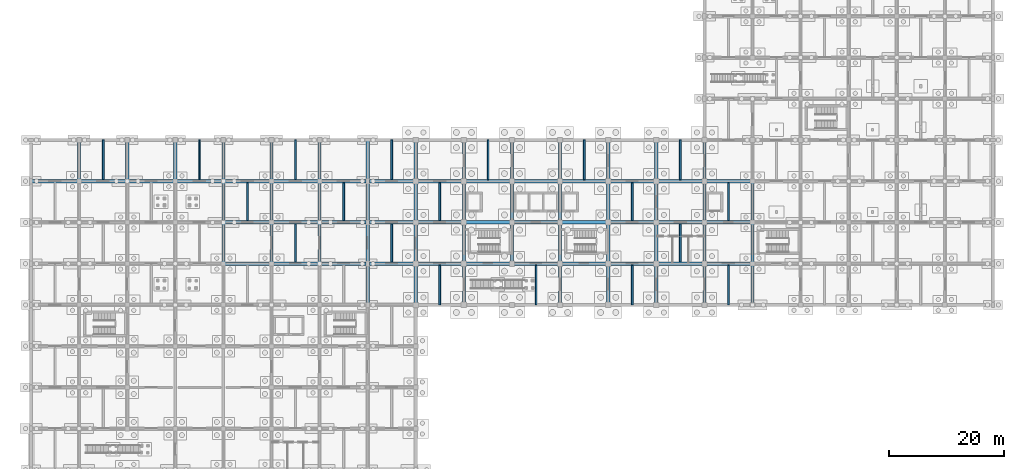
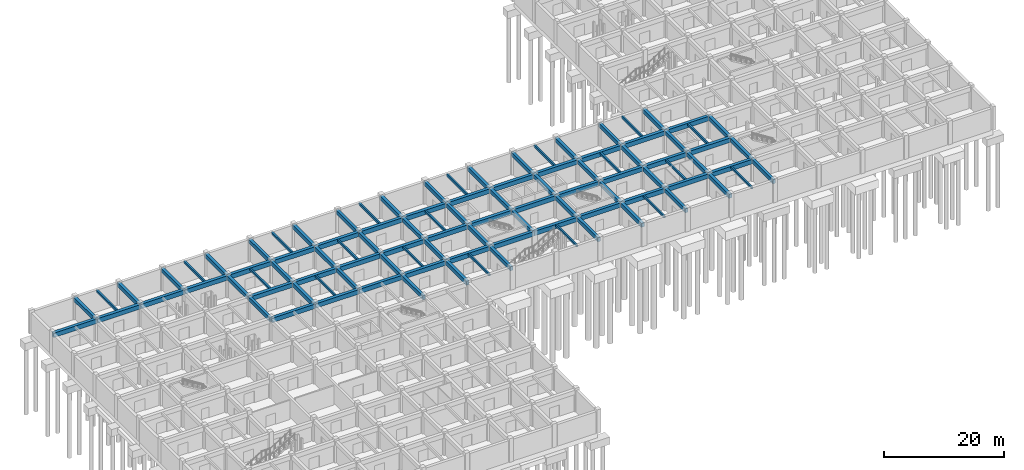
# One storey, part 18 of 38: 102 beams.
"""IFC4 building model written with IfcOpenShell, lengths in metres."""

from ifc_helpers import new_model, si_unit, derived_unit, direction, frame, origin, origin_2d, place, context, subcontext, project, spatial, rectangle, extrude, material, material_profile, profile_set, type_object, element, save


model = new_model("IFC4")

# Units and contexts
model_context = context("Model", 3, precision=1e-05, world=origin(), true_north=direction((0.0, 1.0)))
body_context = subcontext(model_context, "Body", "Model", "MODEL_VIEW")
ifc_project = project(units=[si_unit("LENGTHUNIT", "METRE"), si_unit("AREAUNIT", "SQUARE_METRE"), si_unit("VOLUMEUNIT", "CUBIC_METRE"), si_unit("PLANEANGLEUNIT", "RADIAN"), si_unit("MASSUNIT", "GRAM", prefix="KILO"), derived_unit("THERMALTRANSMITTANCEUNIT", [(si_unit("MASSUNIT", "GRAM", prefix="KILO"), 1), (si_unit("TIMEUNIT", "SECOND"), -3), (si_unit("THERMODYNAMICTEMPERATUREUNIT", "KELVIN"), -1)])], contexts=[model_context])

# Site, building, storey
site_placement = place(None, origin())
site = spatial("IfcSite", under=ifc_project, at=site_placement, CompositionType="ELEMENT")
building_placement = place(site_placement, origin())
building = spatial("IfcBuilding", under=site, at=building_placement, Name="Veldstrom Oceanarium and Marine Research Institute", CompositionType="ELEMENT")
storey_placement = place(building_placement, frame((0.0, 0.0, -9.60009765625)))
storey = spatial("IfcBuildingStorey", under=building, at=storey_placement, Name="B02", CompositionType="ELEMENT", Elevation=-9.60009765625)

# Beams
ifc_material_1 = material(Name="Concrete C40/50", Category="concrete")
ifc_material_profile_1 = material_profile(ifc_material_1, rectangle(XDim=0.60009765625, YDim=0.89990234375, at=origin_2d()), Name="RC-BM-600x900")
ifc_profile_set_1 = profile_set([ifc_material_profile_1], Name="Concrete C40/50")
beam_type_1 = type_object("IfcBeamType", Name="STR-BM-B01", PredefinedType="BEAM", material=ifc_profile_set_1)
beam_1_placement = place(storey_placement, frame((0.0, 64.800048828125, 3.945068359375), z_axis=(1.0, 0.0, 0.0), x_axis=(0.0, 1.0, 0.0)))
element("IfcBeam", 1, at=beam_1_placement, inside=storey, type_object=beam_type_1, Name="Primary Beam B01 B02-0009", PredefinedType="BEAM", context=body_context, shape_type="SweptSolid", body=[
    extrude(rectangle(XDim=0.60009765625, YDim=0.89990234375, at=origin_2d()), origin(), (0.0, 0.0, 1.0), 8.39990234375),
])
beam_2_placement = place(storey_placement, frame((8.39990234375, 64.800048828125, 3.945068359375), z_axis=(1.0, 0.0, 0.0), x_axis=(0.0, 1.0, 0.0)))
element("IfcBeam", 2, at=beam_2_placement, inside=storey, type_object=beam_type_1, Name="Primary Beam B01 B02-0018", PredefinedType="BEAM", context=body_context, shape_type="SweptSolid", body=[
    extrude(rectangle(XDim=0.60009765625, YDim=0.89990234375, at=origin_2d()), origin(), (0.0, 0.0, 1.0), 8.400146484375),
])
beam_3_placement = place(storey_placement, frame((16.800048828125, 64.800048828125, 3.945068359375), z_axis=(1.0, 0.0, 0.0), x_axis=(0.0, 1.0, 0.0)))
element("IfcBeam", 3, at=beam_3_placement, inside=storey, type_object=beam_type_1, Name="Primary Beam B01 B02-0026", PredefinedType="BEAM", context=body_context, shape_type="SweptSolid", body=[
    extrude(rectangle(XDim=0.60009765625, YDim=0.89990234375, at=origin_2d()), origin(), (0.0, 0.0, 1.0), 8.39990234375),
])
beam_4_placement = place(storey_placement, frame((25.199951171875, 64.800048828125, 3.945068359375), z_axis=(1.0, 0.0, 0.0), x_axis=(0.0, 1.0, 0.0)))
element("IfcBeam", 4, at=beam_4_placement, inside=storey, type_object=beam_type_1, Name="Primary Beam B01 B02-0034", PredefinedType="BEAM", context=body_context, shape_type="SweptSolid", body=[
    extrude(rectangle(XDim=0.60009765625, YDim=0.89990234375, at=origin_2d()), origin(), (0.0, 0.0, 1.0), 8.400146484375),
])
for number, where, z_axis, x_axis, name in (
    (5, (33.60009765625, 50.39990234375, 3.945068359375), (1.0, 0.0, 0.0), (0.0, 1.0, 0.0), "Primary Beam B01 B02-0040"),
    (6, (33.60009765625, 57.60009765625, 3.945068359375), (1.0, 0.0, 0.0), (0.0, 1.0, 0.0), "Primary Beam B01 B02-0041"),
    (7, (33.60009765625, 64.800048828125, 3.945068359375), (1.0, 0.0, 0.0), (0.0, 1.0, 0.0), "Primary Beam B01 B02-0042"),
    (8, (42.0, 50.39990234375, 3.945068359375), (1.0, 0.0, 0.0), (0.0, 1.0, 0.0), "Primary Beam B01 B02-0049"),
    (9, (42.0, 57.60009765625, 3.945068359375), (1.0, 0.0, 0.0), (0.0, 1.0, 0.0), "Primary Beam B01 B02-0050"),
    (10, (42.0, 64.800048828125, 3.945068359375), (1.0, 0.0, 0.0), (0.0, 1.0, 0.0), "Primary Beam B01 B02-0051"),
):
    element("IfcBeam", number, at=place(storey_placement, frame(where, z_axis=z_axis, x_axis=x_axis)), inside=storey, type_object=beam_type_1, Name=name, PredefinedType="BEAM", context=body_context, shape_type="SweptSolid", body=[
        extrude(rectangle(XDim=0.60009765625, YDim=0.89990234375, at=origin_2d()), origin(), (0.0, 0.0, 1.0), 8.39990234375),
    ])
for number, where, z_axis, x_axis, name in (
    (11, (50.39990234375, 50.39990234375, 3.945068359375), (1.0, 0.0, 0.0), (0.0, 1.0, 0.0), "Primary Beam B01 B02-0058"),
    (12, (50.39990234375, 57.60009765625, 3.945068359375), (1.0, 0.0, 0.0), (0.0, 1.0, 0.0), "Primary Beam B01 B02-0059"),
    (13, (50.39990234375, 64.800048828125, 3.945068359375), (1.0, 0.0, 0.0), (0.0, 1.0, 0.0), "Primary Beam B01 B02-0060"),
):
    element("IfcBeam", number, at=place(storey_placement, frame(where, z_axis=z_axis, x_axis=x_axis)), inside=storey, type_object=beam_type_1, Name=name, PredefinedType="BEAM", context=body_context, shape_type="SweptSolid", body=[
        extrude(rectangle(XDim=0.60009765625, YDim=0.89990234375, at=origin_2d()), origin(), (0.0, 0.0, 1.0), 8.400146484375),
    ])
for number, where, z_axis, x_axis, name in (
    (14, (58.800048828125, 50.39990234375, 3.945068359375), (1.0, 0.0, 0.0), (0.0, 1.0, 0.0), "Primary Beam B01 B02-0067"),
    (15, (58.800048828125, 57.60009765625, 3.945068359375), (1.0, 0.0, 0.0), (0.0, 1.0, 0.0), "Primary Beam B01 B02-0068"),
    (16, (58.800048828125, 64.800048828125, 3.945068359375), (1.0, 0.0, 0.0), (0.0, 1.0, 0.0), "Primary Beam B01 B02-0069"),
):
    element("IfcBeam", number, at=place(storey_placement, frame(where, z_axis=z_axis, x_axis=x_axis)), inside=storey, type_object=beam_type_1, Name=name, PredefinedType="BEAM", context=body_context, shape_type="SweptSolid", body=[
        extrude(rectangle(XDim=0.60009765625, YDim=0.89990234375, at=origin_2d()), origin(), (0.0, 0.0, 1.0), 8.39990234375),
    ])
for number, where, z_axis, x_axis, name in (
    (17, (67.199951171875, 50.39990234375, 3.945068359375), (1.0, 0.0, 0.0), (0.0, 1.0, 0.0), "Primary Beam B01 B02-0070"),
    (18, (67.199951171875, 57.60009765625, 3.945068359375), (1.0, 0.0, 0.0), (0.0, 1.0, 0.0), "Primary Beam B01 B02-0071"),
    (19, (67.199951171875, 64.800048828125, 3.945068359375), (1.0, 0.0, 0.0), (0.0, 1.0, 0.0), "Primary Beam B01 B02-0072"),
):
    element("IfcBeam", number, at=place(storey_placement, frame(where, z_axis=z_axis, x_axis=x_axis)), inside=storey, type_object=beam_type_1, Name=name, PredefinedType="BEAM", context=body_context, shape_type="SweptSolid", body=[
        extrude(rectangle(XDim=0.60009765625, YDim=0.89990234375, at=origin_2d()), origin(), (0.0, 0.0, 1.0), 8.400146484375),
    ])
for number, where, z_axis, x_axis, name in (
    (20, (75.60009765625, 50.39990234375, 3.945068359375), (1.0, 0.0, 0.0), (0.0, 1.0, 0.0), "Primary Beam B01 B02-0073"),
    (21, (75.60009765625, 57.60009765625, 3.945068359375), (1.0, 0.0, 0.0), (0.0, 1.0, 0.0), "Primary Beam B01 B02-0074"),
    (22, (75.60009765625, 64.800048828125, 3.945068359375), (1.0, 0.0, 0.0), (0.0, 1.0, 0.0), "Primary Beam B01 B02-0075"),
    (23, (84.0, 50.39990234375, 3.945068359375), (1.0, 0.0, 0.0), (0.0, 1.0, 0.0), "Primary Beam B01 B02-0076"),
    (24, (84.0, 57.60009765625, 3.945068359375), (1.0, 0.0, 0.0), (0.0, 1.0, 0.0), "Primary Beam B01 B02-0077"),
    (25, (84.0, 64.800048828125, 3.945068359375), (1.0, 0.0, 0.0), (0.0, 1.0, 0.0), "Primary Beam B01 B02-0078"),
):
    element("IfcBeam", number, at=place(storey_placement, frame(where, z_axis=z_axis, x_axis=x_axis)), inside=storey, type_object=beam_type_1, Name=name, PredefinedType="BEAM", context=body_context, shape_type="SweptSolid", body=[
        extrude(rectangle(XDim=0.60009765625, YDim=0.89990234375, at=origin_2d()), origin(), (0.0, 0.0, 1.0), 8.39990234375),
    ])
for number, where, z_axis, x_axis, name in (
    (26, (92.39990234375, 50.39990234375, 3.945068359375), (1.0, 0.0, 0.0), (0.0, 1.0, 0.0), "Primary Beam B01 B02-0079"),
    (27, (92.39990234375, 57.60009765625, 3.945068359375), (1.0, 0.0, 0.0), (0.0, 1.0, 0.0), "Primary Beam B01 B02-0080"),
    (28, (92.39990234375, 64.800048828125, 3.945068359375), (1.0, 0.0, 0.0), (0.0, 1.0, 0.0), "Primary Beam B01 B02-0081"),
):
    element("IfcBeam", number, at=place(storey_placement, frame(where, z_axis=z_axis, x_axis=x_axis)), inside=storey, type_object=beam_type_1, Name=name, PredefinedType="BEAM", context=body_context, shape_type="SweptSolid", body=[
        extrude(rectangle(XDim=0.60009765625, YDim=0.89990234375, at=origin_2d()), origin(), (0.0, 0.0, 1.0), 8.400146484375),
    ])
for number, where, z_axis, x_axis, name in (
    (29, (100.800048828125, 50.39990234375, 3.945068359375), (1.0, 0.0, 0.0), (0.0, 1.0, 0.0), "Primary Beam B01 B02-0082"),
    (30, (100.800048828125, 57.60009765625, 3.945068359375), (1.0, 0.0, 0.0), (0.0, 1.0, 0.0), "Primary Beam B01 B02-0083"),
    (31, (100.800048828125, 64.800048828125, 3.945068359375), (1.0, 0.0, 0.0), (0.0, 1.0, 0.0), "Primary Beam B01 B02-0084"),
):
    element("IfcBeam", number, at=place(storey_placement, frame(where, z_axis=z_axis, x_axis=x_axis)), inside=storey, type_object=beam_type_1, Name=name, PredefinedType="BEAM", context=body_context, shape_type="SweptSolid", body=[
        extrude(rectangle(XDim=0.60009765625, YDim=0.89990234375, at=origin_2d()), origin(), (0.0, 0.0, 1.0), 8.39990234375),
    ])
for number, where, z_axis, x_axis, name in (
    (32, (109.199951171875, 50.39990234375, 3.945068359375), (1.0, 0.0, 0.0), (0.0, 1.0, 0.0), "Primary Beam B01 B02-0085"),
    (33, (109.199951171875, 57.60009765625, 3.945068359375), (1.0, 0.0, 0.0), (0.0, 1.0, 0.0), "Primary Beam B01 B02-0086"),
    (34, (109.199951171875, 64.800048828125, 3.945068359375), (1.0, 0.0, 0.0), (0.0, 1.0, 0.0), "Primary Beam B01 B02-0087"),
):
    element("IfcBeam", number, at=place(storey_placement, frame(where, z_axis=z_axis, x_axis=x_axis)), inside=storey, type_object=beam_type_1, Name=name, PredefinedType="BEAM", context=body_context, shape_type="SweptSolid", body=[
        extrude(rectangle(XDim=0.60009765625, YDim=0.89990234375, at=origin_2d()), origin(), (0.0, 0.0, 1.0), 8.400146484375),
    ])
for number, where, z_axis, x_axis, name in (
    (35, (117.60009765625, 50.39990234375, 3.945068359375), (1.0, 0.0, 0.0), (0.0, 1.0, 0.0), "Primary Beam B01 B02-0088"),
    (36, (117.60009765625, 57.60009765625, 3.945068359375), (1.0, 0.0, 0.0), (0.0, 1.0, 0.0), "Primary Beam B01 B02-0089"),
    (37, (117.60009765625, 64.800048828125, 3.945068359375), (1.0, 0.0, 0.0), (0.0, 1.0, 0.0), "Primary Beam B01 B02-0090"),
):
    element("IfcBeam", number, at=place(storey_placement, frame(where, z_axis=z_axis, x_axis=x_axis)), inside=storey, type_object=beam_type_1, Name=name, PredefinedType="BEAM", context=body_context, shape_type="SweptSolid", body=[
        extrude(rectangle(XDim=0.60009765625, YDim=0.89990234375, at=origin_2d()), origin(), (0.0, 0.0, 1.0), 8.39990234375),
    ])
ifc_material_2 = material(Name="Concrete C40/50", Category="concrete")
ifc_material_profile_2 = material_profile(ifc_material_2, rectangle(XDim=0.550048828125, YDim=0.800048828125, at=origin_2d()), Name="RC-BM-550x800")
ifc_profile_set_2 = profile_set([ifc_material_profile_2], Name="Concrete C40/50")
beam_type_2 = type_object("IfcBeamType", Name="STR-BM-B02", PredefinedType="BEAM", material=ifc_profile_set_2)
for number, where, z_axis, x_axis, name in (
    (38, (8.39990234375, 64.800048828125, 3.9951171875), (0.0, 1.0, 0.0), (-1.0, 0.0, 0.0), "Primary Beam B02 B02-0151"),
    (39, (16.800048828125, 64.800048828125, 3.9951171875), (0.0, 1.0, 0.0), (-1.0, 0.0, 0.0), "Primary Beam B02 B02-0161"),
    (40, (25.199951171875, 64.800048828125, 3.9951171875), (0.0, 1.0, 0.0), (-1.0, 0.0, 0.0), "Primary Beam B02 B02-0169"),
):
    element("IfcBeam", number, at=place(storey_placement, frame(where, z_axis=z_axis, x_axis=x_axis)), inside=storey, type_object=beam_type_2, Name=name, PredefinedType="BEAM", context=body_context, shape_type="SweptSolid", body=[
        extrude(rectangle(XDim=0.550048828125, YDim=0.800048828125, at=origin_2d()), origin(), (0.0, 0.0, 1.0), 7.199951171875),
    ])
beam_5_placement = place(storey_placement, frame((33.60009765625, 50.39990234375, 3.9951171875), z_axis=(0.0, 1.0, 0.0), x_axis=(-1.0, 0.0, 0.0)))
element("IfcBeam", 41, at=beam_5_placement, inside=storey, type_object=beam_type_2, Name="Primary Beam B02 B02-0175", PredefinedType="BEAM", context=body_context, shape_type="SweptSolid", body=[
    extrude(rectangle(XDim=0.550048828125, YDim=0.800048828125, at=origin_2d()), origin(), (0.0, 0.0, 1.0), 7.2001953125),
])
for number, where, z_axis, x_axis, name in (
    (42, (33.60009765625, 57.60009765625, 3.9951171875), (0.0, 1.0, 0.0), (-1.0, 0.0, 0.0), "Primary Beam B02 B02-0176"),
    (43, (33.60009765625, 64.800048828125, 3.9951171875), (0.0, 1.0, 0.0), (-1.0, 0.0, 0.0), "Primary Beam B02 B02-0177"),
):
    element("IfcBeam", number, at=place(storey_placement, frame(where, z_axis=z_axis, x_axis=x_axis)), inside=storey, type_object=beam_type_2, Name=name, PredefinedType="BEAM", context=body_context, shape_type="SweptSolid", body=[
        extrude(rectangle(XDim=0.550048828125, YDim=0.800048828125, at=origin_2d()), origin(), (0.0, 0.0, 1.0), 7.199951171875),
    ])
beam_6_placement = place(storey_placement, frame((42.0, 50.39990234375, 3.9951171875), z_axis=(0.0, 1.0, 0.0), x_axis=(-1.0, 0.0, 0.0)))
element("IfcBeam", 44, at=beam_6_placement, inside=storey, type_object=beam_type_2, Name="Primary Beam B02 B02-0185", PredefinedType="BEAM", context=body_context, shape_type="SweptSolid", body=[
    extrude(rectangle(XDim=0.550048828125, YDim=0.800048828125, at=origin_2d()), origin(), (0.0, 0.0, 1.0), 7.2001953125),
])
for number, where, z_axis, x_axis, name in (
    (45, (42.0, 57.60009765625, 3.9951171875), (0.0, 1.0, 0.0), (-1.0, 0.0, 0.0), "Primary Beam B02 B02-0186"),
    (46, (42.0, 64.800048828125, 3.9951171875), (0.0, 1.0, 0.0), (-1.0, 0.0, 0.0), "Primary Beam B02 B02-0187"),
):
    element("IfcBeam", number, at=place(storey_placement, frame(where, z_axis=z_axis, x_axis=x_axis)), inside=storey, type_object=beam_type_2, Name=name, PredefinedType="BEAM", context=body_context, shape_type="SweptSolid", body=[
        extrude(rectangle(XDim=0.550048828125, YDim=0.800048828125, at=origin_2d()), origin(), (0.0, 0.0, 1.0), 7.199951171875),
    ])
beam_7_placement = place(storey_placement, frame((50.39990234375, 50.39990234375, 3.9951171875), z_axis=(0.0, 1.0, 0.0), x_axis=(-1.0, 0.0, 0.0)))
element("IfcBeam", 47, at=beam_7_placement, inside=storey, type_object=beam_type_2, Name="Primary Beam B02 B02-0195", PredefinedType="BEAM", context=body_context, shape_type="SweptSolid", body=[
    extrude(rectangle(XDim=0.550048828125, YDim=0.800048828125, at=origin_2d()), origin(), (0.0, 0.0, 1.0), 7.2001953125),
])
for number, where, z_axis, x_axis, name in (
    (48, (50.39990234375, 57.60009765625, 3.9951171875), (0.0, 1.0, 0.0), (-1.0, 0.0, 0.0), "Primary Beam B02 B02-0196"),
    (49, (50.39990234375, 64.800048828125, 3.9951171875), (0.0, 1.0, 0.0), (-1.0, 0.0, 0.0), "Primary Beam B02 B02-0197"),
    (50, (58.800048828125, 43.199951171875, 3.9951171875), (0.0, 1.0, 0.0), (-1.0, 0.0, 0.0), "Primary Beam B02 B02-0204"),
):
    element("IfcBeam", number, at=place(storey_placement, frame(where, z_axis=z_axis, x_axis=x_axis)), inside=storey, type_object=beam_type_2, Name=name, PredefinedType="BEAM", context=body_context, shape_type="SweptSolid", body=[
        extrude(rectangle(XDim=0.550048828125, YDim=0.800048828125, at=origin_2d()), origin(), (0.0, 0.0, 1.0), 7.199951171875),
    ])
beam_8_placement = place(storey_placement, frame((58.800048828125, 50.39990234375, 3.9951171875), z_axis=(0.0, 1.0, 0.0), x_axis=(-1.0, 0.0, 0.0)))
element("IfcBeam", 51, at=beam_8_placement, inside=storey, type_object=beam_type_2, Name="Primary Beam B02 B02-0205", PredefinedType="BEAM", context=body_context, shape_type="SweptSolid", body=[
    extrude(rectangle(XDim=0.550048828125, YDim=0.800048828125, at=origin_2d()), origin(), (0.0, 0.0, 1.0), 7.2001953125),
])
for number, where, z_axis, x_axis, name in (
    (52, (58.800048828125, 57.60009765625, 3.9951171875), (0.0, 1.0, 0.0), (-1.0, 0.0, 0.0), "Primary Beam B02 B02-0206"),
    (53, (58.800048828125, 64.800048828125, 3.9951171875), (0.0, 1.0, 0.0), (-1.0, 0.0, 0.0), "Primary Beam B02 B02-0207"),
    (54, (67.199951171875, 43.199951171875, 3.9951171875), (0.0, 1.0, 0.0), (-1.0, 0.0, 0.0), "Primary Beam B02 B02-0208"),
):
    element("IfcBeam", number, at=place(storey_placement, frame(where, z_axis=z_axis, x_axis=x_axis)), inside=storey, type_object=beam_type_2, Name=name, PredefinedType="BEAM", context=body_context, shape_type="SweptSolid", body=[
        extrude(rectangle(XDim=0.550048828125, YDim=0.800048828125, at=origin_2d()), origin(), (0.0, 0.0, 1.0), 7.199951171875),
    ])
beam_9_placement = place(storey_placement, frame((67.199951171875, 50.39990234375, 3.9951171875), z_axis=(0.0, 1.0, 0.0), x_axis=(-1.0, 0.0, 0.0)))
element("IfcBeam", 55, at=beam_9_placement, inside=storey, type_object=beam_type_2, Name="Primary Beam B02 B02-0209", PredefinedType="BEAM", context=body_context, shape_type="SweptSolid", body=[
    extrude(rectangle(XDim=0.550048828125, YDim=0.800048828125, at=origin_2d()), origin(), (0.0, 0.0, 1.0), 7.2001953125),
])
for number, where, z_axis, x_axis, name in (
    (56, (67.199951171875, 57.60009765625, 3.9951171875), (0.0, 1.0, 0.0), (-1.0, 0.0, 0.0), "Primary Beam B02 B02-0210"),
    (57, (67.199951171875, 64.800048828125, 3.9951171875), (0.0, 1.0, 0.0), (-1.0, 0.0, 0.0), "Primary Beam B02 B02-0211"),
    (58, (75.60009765625, 43.199951171875, 3.9951171875), (0.0, 1.0, 0.0), (-1.0, 0.0, 0.0), "Primary Beam B02 B02-0212"),
):
    element("IfcBeam", number, at=place(storey_placement, frame(where, z_axis=z_axis, x_axis=x_axis)), inside=storey, type_object=beam_type_2, Name=name, PredefinedType="BEAM", context=body_context, shape_type="SweptSolid", body=[
        extrude(rectangle(XDim=0.550048828125, YDim=0.800048828125, at=origin_2d()), origin(), (0.0, 0.0, 1.0), 7.199951171875),
    ])
beam_10_placement = place(storey_placement, frame((75.60009765625, 50.39990234375, 3.9951171875), z_axis=(0.0, 1.0, 0.0), x_axis=(-1.0, 0.0, 0.0)))
element("IfcBeam", 59, at=beam_10_placement, inside=storey, type_object=beam_type_2, Name="Primary Beam B02 B02-0213", PredefinedType="BEAM", context=body_context, shape_type="SweptSolid", body=[
    extrude(rectangle(XDim=0.550048828125, YDim=0.800048828125, at=origin_2d()), origin(), (0.0, 0.0, 1.0), 7.2001953125),
])
for number, where, z_axis, x_axis, name in (
    (60, (75.60009765625, 57.60009765625, 3.9951171875), (0.0, 1.0, 0.0), (-1.0, 0.0, 0.0), "Primary Beam B02 B02-0214"),
    (61, (75.60009765625, 64.800048828125, 3.9951171875), (0.0, 1.0, 0.0), (-1.0, 0.0, 0.0), "Primary Beam B02 B02-0215"),
):
    element("IfcBeam", number, at=place(storey_placement, frame(where, z_axis=z_axis, x_axis=x_axis)), inside=storey, type_object=beam_type_2, Name=name, PredefinedType="BEAM", context=body_context, shape_type="SweptSolid", body=[
        extrude(rectangle(XDim=0.550048828125, YDim=0.800048828125, at=origin_2d()), origin(), (0.0, 0.0, 1.0), 7.199951171875),
    ])
beam_11_placement = place(storey_placement, frame((84.0, 50.39990234375, 3.9951171875), z_axis=(0.0, 1.0, 0.0), x_axis=(-1.0, 0.0, 0.0)))
element("IfcBeam", 62, at=beam_11_placement, inside=storey, type_object=beam_type_2, Name="Primary Beam B02 B02-0217", PredefinedType="BEAM", context=body_context, shape_type="SweptSolid", body=[
    extrude(rectangle(XDim=0.550048828125, YDim=0.800048828125, at=origin_2d()), origin(), (0.0, 0.0, 1.0), 7.2001953125),
])
for number, where, z_axis, x_axis, name in (
    (63, (84.0, 57.60009765625, 3.9951171875), (0.0, 1.0, 0.0), (-1.0, 0.0, 0.0), "Primary Beam B02 B02-0218"),
    (64, (84.0, 64.800048828125, 3.9951171875), (0.0, 1.0, 0.0), (-1.0, 0.0, 0.0), "Primary Beam B02 B02-0219"),
    (65, (92.39990234375, 43.199951171875, 3.9951171875), (0.0, 1.0, 0.0), (-1.0, 0.0, 0.0), "Primary Beam B02 B02-0220"),
):
    element("IfcBeam", number, at=place(storey_placement, frame(where, z_axis=z_axis, x_axis=x_axis)), inside=storey, type_object=beam_type_2, Name=name, PredefinedType="BEAM", context=body_context, shape_type="SweptSolid", body=[
        extrude(rectangle(XDim=0.550048828125, YDim=0.800048828125, at=origin_2d()), origin(), (0.0, 0.0, 1.0), 7.199951171875),
    ])
beam_12_placement = place(storey_placement, frame((92.39990234375, 50.39990234375, 3.9951171875), z_axis=(0.0, 1.0, 0.0), x_axis=(-1.0, 0.0, 0.0)))
element("IfcBeam", 66, at=beam_12_placement, inside=storey, type_object=beam_type_2, Name="Primary Beam B02 B02-0221", PredefinedType="BEAM", context=body_context, shape_type="SweptSolid", body=[
    extrude(rectangle(XDim=0.550048828125, YDim=0.800048828125, at=origin_2d()), origin(), (0.0, 0.0, 1.0), 7.2001953125),
])
for number, where, z_axis, x_axis, name in (
    (67, (92.39990234375, 57.60009765625, 3.9951171875), (0.0, 1.0, 0.0), (-1.0, 0.0, 0.0), "Primary Beam B02 B02-0222"),
    (68, (92.39990234375, 64.800048828125, 3.9951171875), (0.0, 1.0, 0.0), (-1.0, 0.0, 0.0), "Primary Beam B02 B02-0223"),
    (69, (100.800048828125, 43.199951171875, 3.9951171875), (0.0, 1.0, 0.0), (-1.0, 0.0, 0.0), "Primary Beam B02 B02-0224"),
):
    element("IfcBeam", number, at=place(storey_placement, frame(where, z_axis=z_axis, x_axis=x_axis)), inside=storey, type_object=beam_type_2, Name=name, PredefinedType="BEAM", context=body_context, shape_type="SweptSolid", body=[
        extrude(rectangle(XDim=0.550048828125, YDim=0.800048828125, at=origin_2d()), origin(), (0.0, 0.0, 1.0), 7.199951171875),
    ])
beam_13_placement = place(storey_placement, frame((100.800048828125, 50.39990234375, 3.9951171875), z_axis=(0.0, 1.0, 0.0), x_axis=(-1.0, 0.0, 0.0)))
element("IfcBeam", 70, at=beam_13_placement, inside=storey, type_object=beam_type_2, Name="Primary Beam B02 B02-0225", PredefinedType="BEAM", context=body_context, shape_type="SweptSolid", body=[
    extrude(rectangle(XDim=0.550048828125, YDim=0.800048828125, at=origin_2d()), origin(), (0.0, 0.0, 1.0), 7.2001953125),
])
for number, where, z_axis, x_axis, name in (
    (71, (100.800048828125, 57.60009765625, 3.9951171875), (0.0, 1.0, 0.0), (-1.0, 0.0, 0.0), "Primary Beam B02 B02-0226"),
    (72, (100.800048828125, 64.800048828125, 3.9951171875), (0.0, 1.0, 0.0), (-1.0, 0.0, 0.0), "Primary Beam B02 B02-0227"),
    (73, (109.199951171875, 43.199951171875, 3.9951171875), (0.0, 1.0, 0.0), (-1.0, 0.0, 0.0), "Primary Beam B02 B02-0228"),
):
    element("IfcBeam", number, at=place(storey_placement, frame(where, z_axis=z_axis, x_axis=x_axis)), inside=storey, type_object=beam_type_2, Name=name, PredefinedType="BEAM", context=body_context, shape_type="SweptSolid", body=[
        extrude(rectangle(XDim=0.550048828125, YDim=0.800048828125, at=origin_2d()), origin(), (0.0, 0.0, 1.0), 7.199951171875),
    ])
beam_14_placement = place(storey_placement, frame((109.199951171875, 50.39990234375, 3.9951171875), z_axis=(0.0, 1.0, 0.0), x_axis=(-1.0, 0.0, 0.0)))
element("IfcBeam", 74, at=beam_14_placement, inside=storey, type_object=beam_type_2, Name="Primary Beam B02 B02-0229", PredefinedType="BEAM", context=body_context, shape_type="SweptSolid", body=[
    extrude(rectangle(XDim=0.550048828125, YDim=0.800048828125, at=origin_2d()), origin(), (0.0, 0.0, 1.0), 7.2001953125),
])
for number, where, z_axis, x_axis, name in (
    (75, (109.199951171875, 57.60009765625, 3.9951171875), (0.0, 1.0, 0.0), (-1.0, 0.0, 0.0), "Primary Beam B02 B02-0230"),
    (76, (109.199951171875, 64.800048828125, 3.9951171875), (0.0, 1.0, 0.0), (-1.0, 0.0, 0.0), "Primary Beam B02 B02-0231"),
    (77, (117.60009765625, 43.199951171875, 3.9951171875), (0.0, 1.0, 0.0), (-1.0, 0.0, 0.0), "Primary Beam B02 B02-0232"),
):
    element("IfcBeam", number, at=place(storey_placement, frame(where, z_axis=z_axis, x_axis=x_axis)), inside=storey, type_object=beam_type_2, Name=name, PredefinedType="BEAM", context=body_context, shape_type="SweptSolid", body=[
        extrude(rectangle(XDim=0.550048828125, YDim=0.800048828125, at=origin_2d()), origin(), (0.0, 0.0, 1.0), 7.199951171875),
    ])
beam_15_placement = place(storey_placement, frame((117.60009765625, 50.39990234375, 3.9951171875), z_axis=(0.0, 1.0, 0.0), x_axis=(-1.0, 0.0, 0.0)))
element("IfcBeam", 78, at=beam_15_placement, inside=storey, type_object=beam_type_2, Name="Primary Beam B02 B02-0233", PredefinedType="BEAM", context=body_context, shape_type="SweptSolid", body=[
    extrude(rectangle(XDim=0.550048828125, YDim=0.800048828125, at=origin_2d()), origin(), (0.0, 0.0, 1.0), 7.2001953125),
])
for number, where, z_axis, x_axis, name in (
    (79, (117.60009765625, 57.60009765625, 3.9951171875), (0.0, 1.0, 0.0), (-1.0, 0.0, 0.0), "Primary Beam B02 B02-0234"),
    (80, (117.60009765625, 64.800048828125, 3.9951171875), (0.0, 1.0, 0.0), (-1.0, 0.0, 0.0), "Primary Beam B02 B02-0235"),
    (81, (126.0, 43.199951171875, 3.9951171875), (0.0, 1.0, 0.0), (-1.0, 0.0, 0.0), "Primary Beam B02 B02-0236"),
):
    element("IfcBeam", number, at=place(storey_placement, frame(where, z_axis=z_axis, x_axis=x_axis)), inside=storey, type_object=beam_type_2, Name=name, PredefinedType="BEAM", context=body_context, shape_type="SweptSolid", body=[
        extrude(rectangle(XDim=0.550048828125, YDim=0.800048828125, at=origin_2d()), origin(), (0.0, 0.0, 1.0), 7.199951171875),
    ])
beam_16_placement = place(storey_placement, frame((126.0, 50.39990234375, 3.9951171875), z_axis=(0.0, 1.0, 0.0), x_axis=(-1.0, 0.0, 0.0)))
element("IfcBeam", 82, at=beam_16_placement, inside=storey, type_object=beam_type_2, Name="Primary Beam B02 B02-0237", PredefinedType="BEAM", context=body_context, shape_type="SweptSolid", body=[
    extrude(rectangle(XDim=0.550048828125, YDim=0.800048828125, at=origin_2d()), origin(), (0.0, 0.0, 1.0), 7.2001953125),
])
beam_17_placement = place(storey_placement, frame((126.0, 57.60009765625, 3.9951171875), z_axis=(0.0, 1.0, 0.0), x_axis=(-1.0, 0.0, 0.0)))
element("IfcBeam", 83, at=beam_17_placement, inside=storey, type_object=beam_type_2, Name="Primary Beam B02 B02-0238", PredefinedType="BEAM", context=body_context, shape_type="SweptSolid", body=[
    extrude(rectangle(XDim=0.550048828125, YDim=0.800048828125, at=origin_2d()), origin(), (0.0, 0.0, 1.0), 7.199951171875),
])
ifc_material_3 = material(Name="Concrete C40/50", Category="concrete")
ifc_material_profile_3 = material_profile(ifc_material_3, rectangle(XDim=0.300048828125, YDim=0.449951171875, at=origin_2d()), Name="RC-JST-300x450")
ifc_profile_set_3 = profile_set([ifc_material_profile_3], Name="Concrete C40/50")
beam_type_3 = type_object("IfcBeamType", Name="STR-JST-J01", PredefinedType="JOIST", material=ifc_profile_set_3)
for number, where, z_axis, x_axis, name in (
    (84, (12.60009765625, 65.10009765625, 4.170166015625), (0.0, 1.0, 0.0), (-1.0, 0.0, 0.0), "Secondary Joist J01 B02-0294"),
    (85, (29.39990234375, 65.10009765625, 4.170166015625), (0.0, 1.0, 0.0), (-1.0, 0.0, 0.0), "Secondary Joist J01 B02-0304"),
):
    element("IfcBeam", number, at=place(storey_placement, frame(where, z_axis=z_axis, x_axis=x_axis)), inside=storey, type_object=beam_type_3, Name=name, PredefinedType="JOIST", context=body_context, shape_type="SweptSolid", body=[
        extrude(rectangle(XDim=0.300048828125, YDim=0.449951171875, at=origin_2d()), origin(), (0.0, 0.0, 1.0), 6.89990234375),
    ])
for number, where, z_axis, x_axis, name in (
    (86, (37.800048828125, 57.89990234375, 4.170166015625), (0.0, 1.0, 0.0), (-1.0, 0.0, 0.0), "Secondary Joist J01 B02-0309"),
    (87, (46.199951171875, 50.699951171875, 4.170166015625), (0.0, 1.0, 0.0), (-1.0, 0.0, 0.0), "Secondary Joist J01 B02-0312"),
):
    element("IfcBeam", number, at=place(storey_placement, frame(where, z_axis=z_axis, x_axis=x_axis)), inside=storey, type_object=beam_type_3, Name=name, PredefinedType="JOIST", context=body_context, shape_type="SweptSolid", body=[
        extrude(rectangle(XDim=0.300048828125, YDim=0.449951171875, at=origin_2d()), origin(), (0.0, 0.0, 1.0), 6.60009765625),
    ])
beam_18_placement = place(storey_placement, frame((46.199951171875, 65.10009765625, 4.170166015625), z_axis=(0.0, 1.0, 0.0), x_axis=(-1.0, 0.0, 0.0)))
element("IfcBeam", 88, at=beam_18_placement, inside=storey, type_object=beam_type_3, Name="Secondary Joist J01 B02-0313", PredefinedType="JOIST", context=body_context, shape_type="SweptSolid", body=[
    extrude(rectangle(XDim=0.300048828125, YDim=0.449951171875, at=origin_2d()), origin(), (0.0, 0.0, 1.0), 6.89990234375),
])
for number, where, z_axis, x_axis, name in (
    (89, (54.60009765625, 57.89990234375, 4.170166015625), (0.0, 1.0, 0.0), (-1.0, 0.0, 0.0), "Secondary Joist J01 B02-0318"),
    (90, (63.0, 50.699951171875, 4.170166015625), (0.0, 1.0, 0.0), (-1.0, 0.0, 0.0), "Secondary Joist J01 B02-0322"),
):
    element("IfcBeam", number, at=place(storey_placement, frame(where, z_axis=z_axis, x_axis=x_axis)), inside=storey, type_object=beam_type_3, Name=name, PredefinedType="JOIST", context=body_context, shape_type="SweptSolid", body=[
        extrude(rectangle(XDim=0.300048828125, YDim=0.449951171875, at=origin_2d()), origin(), (0.0, 0.0, 1.0), 6.60009765625),
    ])
beam_19_placement = place(storey_placement, frame((63.0, 65.10009765625, 4.170166015625), z_axis=(0.0, 1.0, 0.0), x_axis=(-1.0, 0.0, 0.0)))
element("IfcBeam", 91, at=beam_19_placement, inside=storey, type_object=beam_type_3, Name="Secondary Joist J01 B02-0323", PredefinedType="JOIST", context=body_context, shape_type="SweptSolid", body=[
    extrude(rectangle(XDim=0.300048828125, YDim=0.449951171875, at=origin_2d()), origin(), (0.0, 0.0, 1.0), 6.89990234375),
])
beam_20_placement = place(storey_placement, frame((71.39990234375, 43.199951171875, 4.170166015625), z_axis=(0.0, 1.0, 0.0), x_axis=(-1.0, 0.0, 0.0)))
element("IfcBeam", 92, at=beam_20_placement, inside=storey, type_object=beam_type_3, Name="Secondary Joist J01 B02-0324", PredefinedType="JOIST", context=body_context, shape_type="SweptSolid", body=[
    extrude(rectangle(XDim=0.300048828125, YDim=0.449951171875, at=origin_2d()), origin(), (0.0, 0.0, 1.0), 6.900146484375),
])
beam_21_placement = place(storey_placement, frame((71.39990234375, 57.89990234375, 4.170166015625), z_axis=(0.0, 1.0, 0.0), x_axis=(-1.0, 0.0, 0.0)))
element("IfcBeam", 93, at=beam_21_placement, inside=storey, type_object=beam_type_3, Name="Secondary Joist J01 B02-0325", PredefinedType="JOIST", context=body_context, shape_type="SweptSolid", body=[
    extrude(rectangle(XDim=0.300048828125, YDim=0.449951171875, at=origin_2d()), origin(), (0.0, 0.0, 1.0), 6.60009765625),
])
beam_22_placement = place(storey_placement, frame((79.800048828125, 65.10009765625, 4.170166015625), z_axis=(0.0, 1.0, 0.0), x_axis=(-1.0, 0.0, 0.0)))
element("IfcBeam", 94, at=beam_22_placement, inside=storey, type_object=beam_type_3, Name="Secondary Joist J01 B02-0326", PredefinedType="JOIST", context=body_context, shape_type="SweptSolid", body=[
    extrude(rectangle(XDim=0.300048828125, YDim=0.449951171875, at=origin_2d()), origin(), (0.0, 0.0, 1.0), 6.89990234375),
])
beam_23_placement = place(storey_placement, frame((88.199951171875, 43.199951171875, 4.170166015625), z_axis=(0.0, 1.0, 0.0), x_axis=(-1.0, 0.0, 0.0)))
element("IfcBeam", 95, at=beam_23_placement, inside=storey, type_object=beam_type_3, Name="Secondary Joist J01 B02-0327", PredefinedType="JOIST", context=body_context, shape_type="SweptSolid", body=[
    extrude(rectangle(XDim=0.300048828125, YDim=0.449951171875, at=origin_2d()), origin(), (0.0, 0.0, 1.0), 6.900146484375),
])
beam_24_placement = place(storey_placement, frame((96.60009765625, 65.10009765625, 4.170166015625), z_axis=(0.0, 1.0, 0.0), x_axis=(-1.0, 0.0, 0.0)))
element("IfcBeam", 96, at=beam_24_placement, inside=storey, type_object=beam_type_3, Name="Secondary Joist J01 B02-0328", PredefinedType="JOIST", context=body_context, shape_type="SweptSolid", body=[
    extrude(rectangle(XDim=0.300048828125, YDim=0.449951171875, at=origin_2d()), origin(), (0.0, 0.0, 1.0), 6.89990234375),
])
beam_25_placement = place(storey_placement, frame((105.0, 43.199951171875, 4.170166015625), z_axis=(0.0, 1.0, 0.0), x_axis=(-1.0, 0.0, 0.0)))
element("IfcBeam", 97, at=beam_25_placement, inside=storey, type_object=beam_type_3, Name="Secondary Joist J01 B02-0329", PredefinedType="JOIST", context=body_context, shape_type="SweptSolid", body=[
    extrude(rectangle(XDim=0.300048828125, YDim=0.449951171875, at=origin_2d()), origin(), (0.0, 0.0, 1.0), 6.900146484375),
])
for number, where, z_axis, x_axis, name in (
    (98, (105.0, 57.89990234375, 4.170166015625), (0.0, 1.0, 0.0), (-1.0, 0.0, 0.0), "Secondary Joist J01 B02-0330"),
    (99, (113.39990234375, 50.699951171875, 4.170166015625), (0.0, 1.0, 0.0), (-1.0, 0.0, 0.0), "Secondary Joist J01 B02-0331"),
):
    element("IfcBeam", number, at=place(storey_placement, frame(where, z_axis=z_axis, x_axis=x_axis)), inside=storey, type_object=beam_type_3, Name=name, PredefinedType="JOIST", context=body_context, shape_type="SweptSolid", body=[
        extrude(rectangle(XDim=0.300048828125, YDim=0.449951171875, at=origin_2d()), origin(), (0.0, 0.0, 1.0), 6.60009765625),
    ])
beam_26_placement = place(storey_placement, frame((113.39990234375, 65.10009765625, 4.170166015625), z_axis=(0.0, 1.0, 0.0), x_axis=(-1.0, 0.0, 0.0)))
element("IfcBeam", 100, at=beam_26_placement, inside=storey, type_object=beam_type_3, Name="Secondary Joist J01 B02-0332", PredefinedType="JOIST", context=body_context, shape_type="SweptSolid", body=[
    extrude(rectangle(XDim=0.300048828125, YDim=0.449951171875, at=origin_2d()), origin(), (0.0, 0.0, 1.0), 6.89990234375),
])
beam_27_placement = place(storey_placement, frame((121.800048828125, 43.199951171875, 4.170166015625), z_axis=(0.0, 1.0, 0.0), x_axis=(-1.0, 0.0, 0.0)))
element("IfcBeam", 101, at=beam_27_placement, inside=storey, type_object=beam_type_3, Name="Secondary Joist J01 B02-0333", PredefinedType="JOIST", context=body_context, shape_type="SweptSolid", body=[
    extrude(rectangle(XDim=0.300048828125, YDim=0.449951171875, at=origin_2d()), origin(), (0.0, 0.0, 1.0), 6.900146484375),
])
beam_28_placement = place(storey_placement, frame((121.800048828125, 57.89990234375, 4.170166015625), z_axis=(0.0, 1.0, 0.0), x_axis=(-1.0, 0.0, 0.0)))
element("IfcBeam", 102, at=beam_28_placement, inside=storey, type_object=beam_type_3, Name="Secondary Joist J01 B02-0334", PredefinedType="JOIST", context=body_context, shape_type="SweptSolid", body=[
    extrude(rectangle(XDim=0.300048828125, YDim=0.449951171875, at=origin_2d()), origin(), (0.0, 0.0, 1.0), 6.60009765625),
])

save(model, "model.ifc")
